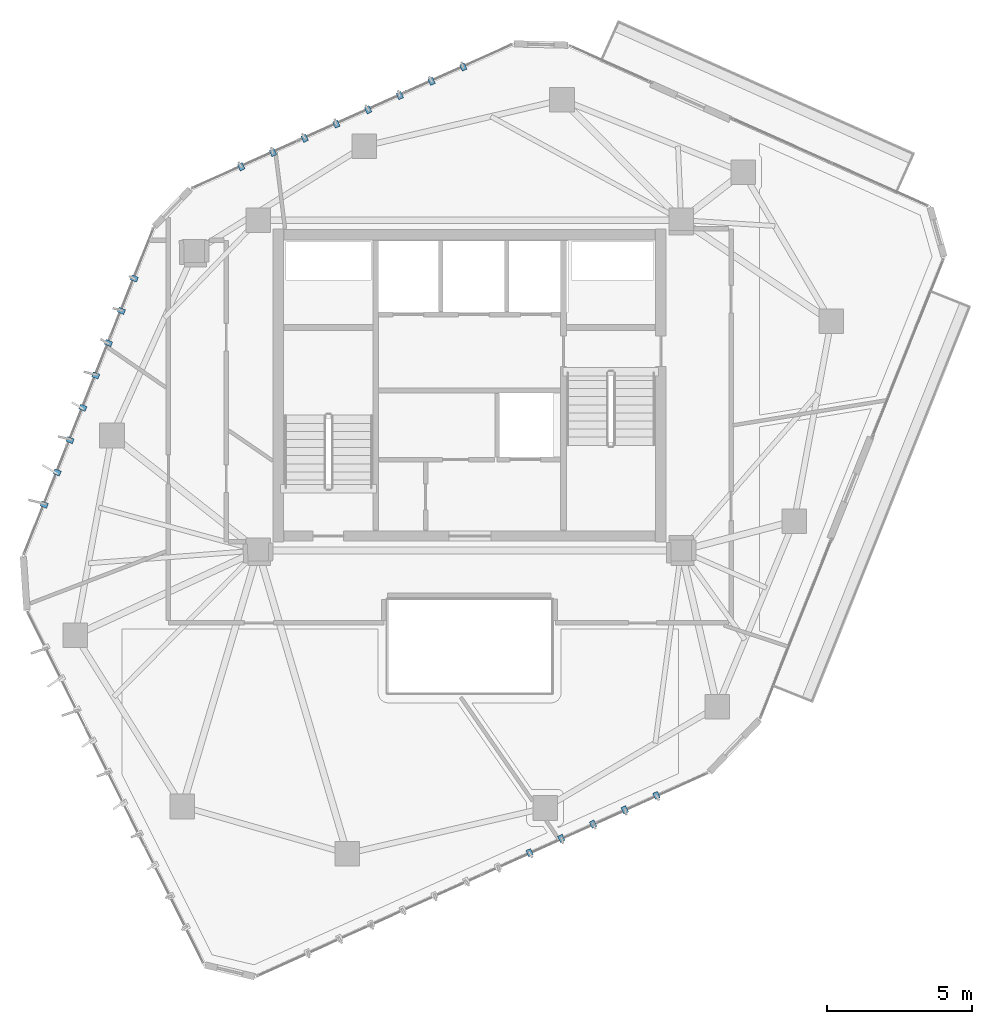
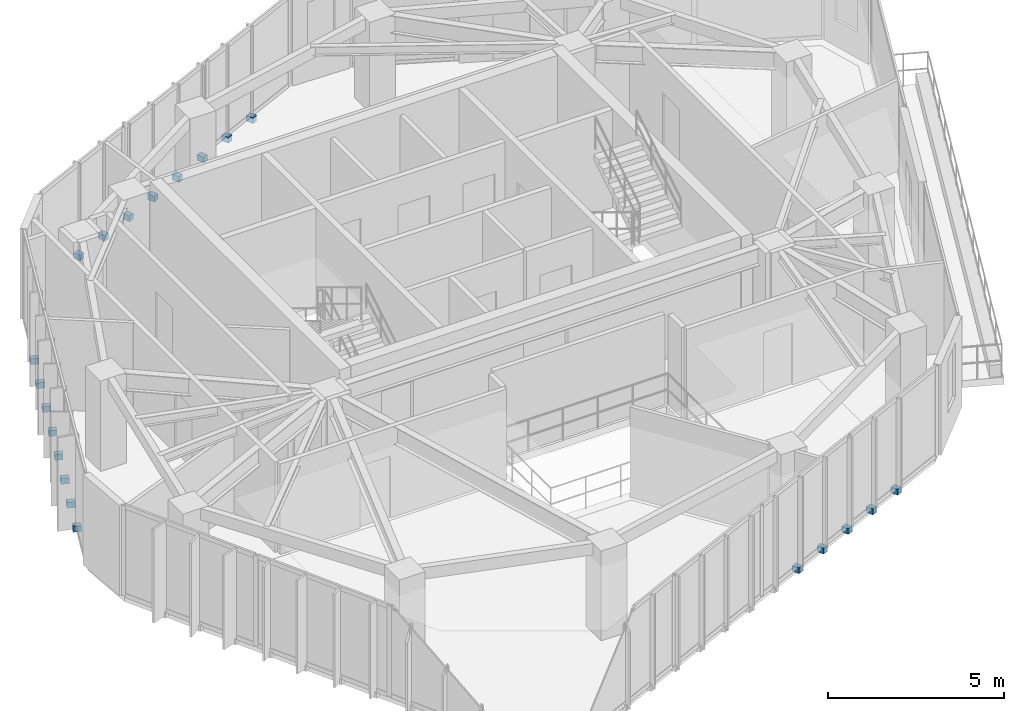
# One storey, part 19 of 21: 21 discrete accessories.
"""IFC4 building model written with IfcOpenShell, lengths in metres."""

from ifc_helpers import new_model, si_unit, direction, frame, origin, origin_2d, place, context, subcontext, project, spatial, rectangle, extrude, source, transform, mapped, material, type_object, type_shapes, element, save


model = new_model("IFC4")

# Units and contexts
model_context = context("Model", 3, precision=1e-05, world=origin(), true_north=direction((0.0, 1.0)))
body_context = subcontext(model_context, "Body", "Model", "MODEL_VIEW")
ifc_project = project(units=[si_unit("LENGTHUNIT", "METRE"), si_unit("AREAUNIT", "SQUARE_METRE"), si_unit("VOLUMEUNIT", "CUBIC_METRE"), si_unit("PLANEANGLEUNIT", "RADIAN"), si_unit("MASSUNIT", "GRAM", prefix="KILO")], contexts=[model_context])

# Site, building, storey
site_placement = place(None, origin())
site = spatial("IfcSite", under=ifc_project, at=site_placement, CompositionType="ELEMENT")
building_placement = place(site_placement, origin())
building = spatial("IfcBuilding", under=site, at=building_placement, Name="Talar Marvaseh", CompositionType="ELEMENT")
storey_placement = place(building_placement, frame((0.0, 0.0, 271.39990234375)))
storey = spatial("IfcBuildingStorey", under=building, at=storey_placement, Name="L72", CompositionType="ELEMENT", Elevation=271.39990234375)

# Discrete accessories
ifc_material = material(Name="Stainless Steel Grade 316", Category="steel")
discrete_accessory_type = type_object("IfcDiscreteAccessoryType", Name="Stainless Slab-Edge Fin Mounting Bracket", PredefinedType="BRACKET", material=ifc_material)
shared_shape = source(origin(), body_context, "Body", "SweptSolid", [
    extrude(rectangle(XDim=0.239990234375, YDim=0.179931640625, at=origin_2d()), origin(), (0.0, 0.0, 1.0), 0.199951171875),
])
type_shapes(discrete_accessory_type, [shared_shape])
for number, where, z_axis, x_axis, name in (
    (1, (11.321533203125, 27.080322265625, -0.1796875), (0.0, 0.0, 1.0), (-0.929261580892, 0.369422406303, 0.0), "L72 Vertical Fin Slab-Edge Bracket"),
    (2, (11.764892578125, 28.1953125, -0.1796875), (0.0, 0.0, 1.0), (-0.929261580892, 0.369422406303, 0.0), "L72 Vertical Fin Slab-Edge Bracket"),
    (3, (12.208251953125, 29.310546875, -0.1796875), (0.0, 0.0, 1.0), (-0.929261580892, 0.369422406303, 0.0), "L72 Vertical Fin Slab-Edge Bracket"),
    (4, (12.651611328125, 30.425537109375, -0.1796875), (0.0, 0.0, 1.0), (-0.929261580892, 0.369422406303, 0.0), "L72 Vertical Fin Slab-Edge Bracket"),
    (5, (13.094970703125, 31.540771484375, -0.1796875), (0.0, 0.0, 1.0), (-0.929261580892, 0.369422406303, 0.0), "L72 Vertical Fin Slab-Edge Bracket"),
    (6, (13.538330078125, 32.65576171875, -0.1796875), (0.0, 0.0, 1.0), (-0.929261580892, 0.369422406303, 0.0), "L72 Vertical Fin Slab-Edge Bracket"),
    (7, (13.981689453125, 33.77099609375, -0.1796875), (0.0, 0.0, 1.0), (-0.929261580892, 0.369422406303, 0.0), "L72 Vertical Fin Slab-Edge Bracket"),
    (8, (14.425048828125, 34.885986328125, -0.1796875), (0.0, 0.0, 1.0), (-0.929261580892, 0.369422406303, 0.0), "L72 Vertical Fin Slab-Edge Bracket"),
    (9, (18.1162109375, 38.74169921875, -0.1796875), (0.0, 0.0, 1.0), (-0.40960461889, 0.912263150732, 0.0), "L72 Vertical Fin Slab-Edge Bracket"),
    (10, (19.210693359375, 39.2333984375, -0.1796875), (0.0, 0.0, 1.0), (-0.40960461889, 0.912263150732, 0.0), "L72 Vertical Fin Slab-Edge Bracket"),
    (11, (20.305419921875, 39.724853515625, -0.1796875), (0.0, 0.0, 1.0), (-0.40960461889, 0.912263150732, 0.0), "L72 Vertical Fin Slab-Edge Bracket"),
    (12, (21.400146484375, 40.216552734375, -0.1796875), (0.0, 0.0, 1.0), (-0.40960461889, 0.912263150732, 0.0), "L72 Vertical Fin Slab-Edge Bracket"),
    (13, (22.494873046875, 40.7080078125, -0.1796875), (0.0, 0.0, 1.0), (-0.40960461889, 0.912263150732, 0.0), "L72 Vertical Fin Slab-Edge Bracket"),
    (14, (23.589599609375, 41.19970703125, -0.1796875), (0.0, 0.0, 1.0), (-0.40960461889, 0.912263150732, 0.0), "L72 Vertical Fin Slab-Edge Bracket"),
    (15, (24.684326171875, 41.691162109375, -0.1796875), (0.0, 0.0, 1.0), (-0.40960461889, 0.912263150732, 0.0), "L72 Vertical Fin Slab-Edge Bracket"),
    (16, (25.779052734375, 42.182861328125, -0.1796875), (0.0, 0.0, 1.0), (-0.40960461889, 0.912263150732, 0.0), "L72 Vertical Fin Slab-Edge Bracket"),
    (17, (32.4453125, 17.045166015625, -0.1796875), (0.0, 0.0, 1.0), (0.410877978854, -0.911690345728, 0.0), "L72 Vertical Fin Slab-Edge Bracket"),
    (18, (31.351318359375, 16.55224609375, -0.1796875), (0.0, 0.0, 1.0), (0.410877978854, -0.911690345728, 0.0), "L72 Vertical Fin Slab-Edge Bracket"),
    (19, (30.257080078125, 16.05908203125, -0.1796875), (0.0, 0.0, 1.0), (0.410877978854, -0.911690345728, 0.0), "L72 Vertical Fin Slab-Edge Bracket"),
    (20, (29.1630859375, 15.566162109375, -0.1796875), (0.0, 0.0, 1.0), (0.410877978854, -0.911690345728, 0.0), "L72 Vertical Fin Slab-Edge Bracket"),
    (21, (28.069091796875, 15.072998046875, -0.1796875), (0.0, 0.0, 1.0), (0.410877978854, -0.911690345728, 0.0), "L72 Vertical Fin Slab-Edge Bracket"),
):
    element("IfcDiscreteAccessory", number, at=place(storey_placement, frame(where, z_axis=z_axis, x_axis=x_axis)), inside=storey, type_object=discrete_accessory_type, Name=name, PredefinedType="BRACKET", context=body_context, shape_type="MappedRepresentation", body=[
        mapped(shared_shape, transform((0.0, 0.0, 0.0), x_axis=(1.0, 0.0, 0.0), y_axis=(0.0, 1.0, 0.0), z_axis=(0.0, 0.0, 1.0), scale=1.0)),
    ])

save(model, "model.ifc")
